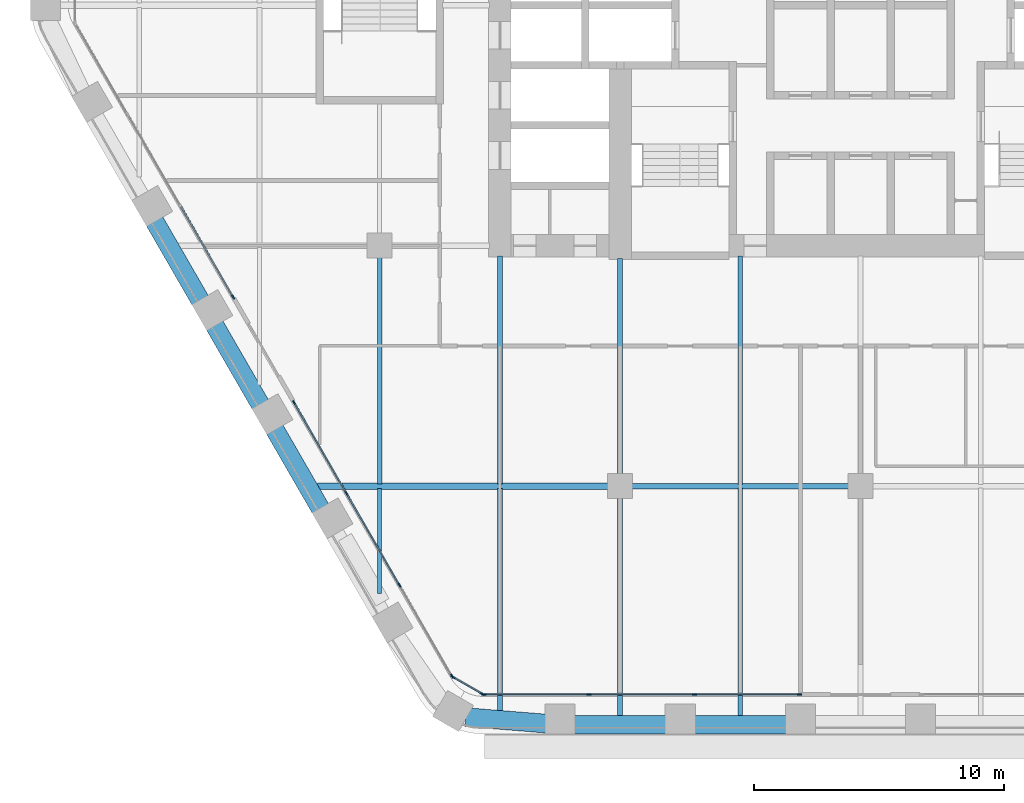
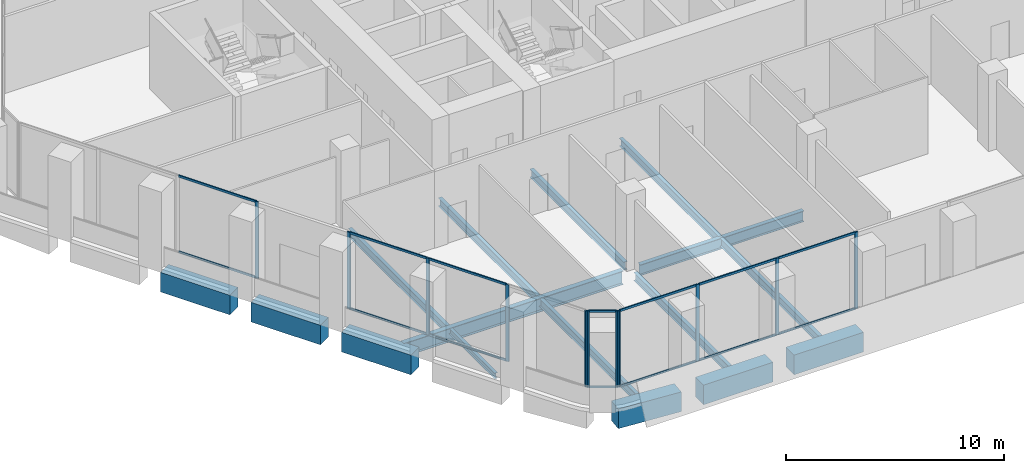
# One storey, part 2 of 23: 25 members, 16 beams, 4 elements without a shape of their own.
"""IFC4 building model written with IfcOpenShell, lengths in metres."""

from ifc_helpers import new_model, si_unit, direction, frame, origin, origin_2d, place, context, subcontext, project, spatial, rectangle, i_section, extrude, material, material_profile, profile_set, type_object, element, aggregate, save


model = new_model("IFC4")

# Units and contexts
model_context = context("Model", 3, precision=1e-05, world=origin(), true_north=direction((0.0, 1.0)))
body_context = subcontext(model_context, "Body", "Model", "MODEL_VIEW")
ifc_project = project(units=[si_unit("LENGTHUNIT", "METRE"), si_unit("AREAUNIT", "SQUARE_METRE"), si_unit("VOLUMEUNIT", "CUBIC_METRE"), si_unit("PLANEANGLEUNIT", "RADIAN"), si_unit("MASSUNIT", "GRAM", prefix="KILO")], contexts=[model_context])

# Site, building, storey
site_placement = place(None, origin())
site = spatial("IfcSite", under=ifc_project, at=site_placement, CompositionType="ELEMENT")
building_placement = place(site_placement, origin())
building = spatial("IfcBuilding", under=site, at=building_placement, Name="Kolab Exchange Tower", CompositionType="ELEMENT")
storey_placement = place(building_placement, frame((0.0, 0.0, 100.39990234375)))
storey = spatial("IfcBuildingStorey", under=building, at=storey_placement, Name="L19", CompositionType="ELEMENT", Elevation=100.39990234375)

# Beams
ifc_material_1 = material(Name="Steel S355", Category="steel")
ifc_material_profile_1 = material_profile(ifc_material_1, i_section(OverallWidth=0.1650390625, OverallDepth=0.31005859375, WebThickness=0.005859375, FlangeThickness=0.009765625, at=origin_2d()), Name="W310X39")
ifc_profile_set_1 = profile_set([ifc_material_profile_1], Name="Steel S355")
beam_type_1 = type_object("IfcBeamType", Name="FLOOR BEAM W310X39", PredefinedType="BEAM", material=ifc_profile_set_1)
beam_1_placement = place(storey_placement, frame((-19.199951171875, -23.4814453125, -0.35498046875), z_axis=(0.0, 1.0, 0.0), x_axis=(-1.0, 0.0, 0.0)))
element("IfcBeam", 1, at=beam_1_placement, inside=storey, type_object=beam_type_1, Name="beam/L19/fr/006", PredefinedType="BEAM", context=body_context, shape_type="SweptSolid", body=[
    extrude(i_section(OverallWidth=0.1650390625, OverallDepth=0.31005859375, WebThickness=0.005859375, FlangeThickness=0.009765625, at=origin_2d()), origin(), (0.0, 0.0, 1.0), 4.18798828125),
])
ifc_material_profile_2 = material_profile(ifc_material_1, i_section(OverallWidth=0.18994140625, OverallDepth=0.45703125, WebThickness=0.009033203125, FlangeThickness=0.014404296875, at=origin_2d()), Name="W460X74")
ifc_profile_set_2 = profile_set([ifc_material_profile_2], Name="Steel S355")
beam_type_2 = type_object("IfcBeamType", Name="FLOOR BEAM W460X74", PredefinedType="BEAM", material=ifc_profile_set_2)
beam_2_placement = place(storey_placement, frame((-19.199951171875, -19.1064453125, -0.428466796875), z_axis=(0.0, 1.0, 0.0), x_axis=(-1.0, 0.0, 0.0)))
element("IfcBeam", 2, at=beam_2_placement, inside=storey, type_object=beam_type_2, Name="beam/L19/fr/007", PredefinedType="BEAM", context=body_context, shape_type="SweptSolid", body=[
    extrude(i_section(OverallWidth=0.18994140625, OverallDepth=0.45703125, WebThickness=0.009033203125, FlangeThickness=0.014404296875, at=origin_2d()), origin(), (0.0, 0.0, 1.0), 9.04638671875),
])
beam_3_placement = place(storey_placement, frame((-14.39990234375, -28.194580078125, -0.428466796875), z_axis=(0.0, 1.0, 0.0), x_axis=(-1.0, 0.0, 0.0)))
element("IfcBeam", 3, at=beam_3_placement, inside=storey, type_object=beam_type_2, Name="beam/L19/fr/012", PredefinedType="BEAM", context=body_context, shape_type="SweptSolid", body=[
    extrude(i_section(OverallWidth=0.18994140625, OverallDepth=0.45703125, WebThickness=0.009033203125, FlangeThickness=0.014404296875, at=origin_2d()), origin(), (0.0, 0.0, 1.0), 8.901123046875),
])
beam_4_placement = place(storey_placement, frame((-14.39990234375, -19.1064453125, -0.428466796875), z_axis=(0.0, 1.0, 0.0), x_axis=(-1.0, 0.0, 0.0)))
element("IfcBeam", 4, at=beam_4_placement, inside=storey, type_object=beam_type_2, Name="beam/L19/fr/013", PredefinedType="BEAM", context=body_context, shape_type="SweptSolid", body=[
    extrude(i_section(OverallWidth=0.18994140625, OverallDepth=0.45703125, WebThickness=0.009033203125, FlangeThickness=0.014404296875, at=origin_2d()), origin(), (0.0, 0.0, 1.0), 9.096435546875),
])
beam_5_placement = place(storey_placement, frame((-9.60009765625, -28.388427734375, -0.428466796875), z_axis=(0.0, 1.0, 0.0), x_axis=(-1.0, 0.0, 0.0)))
element("IfcBeam", 5, at=beam_5_placement, inside=storey, type_object=beam_type_2, Name="beam/L19/fr/016", PredefinedType="BEAM", context=body_context, shape_type="SweptSolid", body=[
    extrude(i_section(OverallWidth=0.18994140625, OverallDepth=0.45703125, WebThickness=0.009033203125, FlangeThickness=0.014404296875, at=origin_2d()), origin(), (0.0, 0.0, 1.0), 8.728515625),
])
beam_6_placement = place(storey_placement, frame((-9.60009765625, -18.739990234375, -0.428466796875), z_axis=(0.0, 1.0, 0.0), x_axis=(-1.0, 0.0, 0.0)))
element("IfcBeam", 6, at=beam_6_placement, inside=storey, type_object=beam_type_2, Name="beam/L19/fr/017", PredefinedType="BEAM", context=body_context, shape_type="SweptSolid", body=[
    extrude(i_section(OverallWidth=0.18994140625, OverallDepth=0.45703125, WebThickness=0.009033203125, FlangeThickness=0.014404296875, at=origin_2d()), origin(), (0.0, 0.0, 1.0), 8.6298828125),
])
beam_7_placement = place(storey_placement, frame((-4.800048828125, -28.388427734375, -0.428466796875), z_axis=(0.0, 1.0, 0.0), x_axis=(-1.0, 0.0, 0.0)))
element("IfcBeam", 7, at=beam_7_placement, inside=storey, type_object=beam_type_2, Name="beam/L19/fr/020", PredefinedType="BEAM", context=body_context, shape_type="SweptSolid", body=[
    extrude(i_section(OverallWidth=0.18994140625, OverallDepth=0.45703125, WebThickness=0.009033203125, FlangeThickness=0.014404296875, at=origin_2d()), origin(), (0.0, 0.0, 1.0), 9.114501953125),
])
beam_8_placement = place(storey_placement, frame((-4.800048828125, -19.1259765625, -0.428466796875), z_axis=(0.0, 1.0, 0.0), x_axis=(-1.0, 0.0, 0.0)))
element("IfcBeam", 8, at=beam_8_placement, inside=storey, type_object=beam_type_2, Name="beam/L19/fr/021", PredefinedType="BEAM", context=body_context, shape_type="SweptSolid", body=[
    extrude(i_section(OverallWidth=0.18994140625, OverallDepth=0.45703125, WebThickness=0.009033203125, FlangeThickness=0.014404296875, at=origin_2d()), origin(), (0.0, 0.0, 1.0), 9.115966796875),
])
ifc_material_profile_3 = material_profile(ifc_material_1, i_section(OverallWidth=0.22802734375, OverallDepth=0.60791015625, WebThickness=0.01123046875, FlangeThickness=0.017333984375, at=origin_2d()), Name="W610X113")
ifc_profile_set_3 = profile_set([ifc_material_profile_3], Name="Steel S355")
beam_type_3 = type_object("IfcBeamType", Name="FLOOR GIRDER W610X113", PredefinedType="BEAM", material=ifc_profile_set_3)
beam_9_placement = place(storey_placement, frame((-9.139892578125, -19.199951171875, -0.50390625), z_axis=(1.0, 0.0, 0.0), x_axis=(0.0, 1.0, 0.0)))
element("IfcBeam", 9, at=beam_9_placement, inside=storey, type_object=beam_type_3, Name="beam/L19/gd/008", PredefinedType="BEAM", context=body_context, shape_type="SweptSolid", body=[
    extrude(i_section(OverallWidth=0.22802734375, OverallDepth=0.60791015625, WebThickness=0.01123046875, FlangeThickness=0.017333984375, at=origin_2d()), origin(), (0.0, 0.0, 1.0), 8.679931640625),
])
ifc_material_profile_4 = material_profile(ifc_material_1, i_section(OverallWidth=0.26708984375, OverallDepth=0.761962890625, WebThickness=0.014404296875, FlangeThickness=0.021484375, at=origin_2d()), Name="W760X173")
ifc_profile_set_4 = profile_set([ifc_material_profile_4], Name="Steel S355")
beam_type_4 = type_object("IfcBeamType", Name="FLOOR GIRDER W760X173", PredefinedType="BEAM", material=ifc_profile_set_4)
beam_10_placement = place(storey_placement, frame((-21.688720703125, -19.199951171875, -0.580810546875), z_axis=(1.0, 0.0, 0.0), x_axis=(0.0, 1.0, 0.0)))
element("IfcBeam", 10, at=beam_10_placement, inside=storey, type_object=beam_type_4, Name="beam/L19/gd/003", PredefinedType="BEAM", context=body_context, shape_type="SweptSolid", body=[
    extrude(i_section(OverallWidth=0.26708984375, OverallDepth=0.761962890625, WebThickness=0.014404296875, FlangeThickness=0.021484375, at=origin_2d()), origin(), (0.0, 0.0, 1.0), 11.628662109375),
])
ifc_material_2 = material(Name="Concrete C70/85", Category="concrete")
ifc_material_profile_5 = material_profile(ifc_material_2, rectangle(XDim=0.75, YDim=1.10009765625, at=origin_2d()), Name="RC750X1100")
ifc_profile_set_5 = profile_set([ifc_material_profile_5], Name="Concrete C70/85")
beam_type_5 = type_object("IfcBeamType", Name="SPANDREL BEAM 750X1100 C70/85", PredefinedType="BEAM", material=ifc_profile_set_5)
for number, where, z_axis, x_axis, name in (
    (11, (-2.9599609375, -28.723388671875, -0.75), (-1.0, 0.0, 0.0), (0.0, -1.0, 0.0), "beam/L19/sp/F4-05"),
    (12, (-7.760009765625, -28.723388671875, -0.75), (-1.0, 0.0, 0.0), (0.0, -1.0, 0.0), "beam/L19/sp/F4-06"),
):
    element("IfcBeam", number, at=place(storey_placement, frame(where, z_axis=z_axis, x_axis=x_axis)), inside=storey, type_object=beam_type_5, Name=name, PredefinedType="BEAM", context=body_context, shape_type="SweptSolid", body=[
        extrude(rectangle(XDim=0.75, YDim=1.10009765625, at=origin_2d()), origin(), (0.0, 0.0, 1.0), 3.679931640625),
    ])
beam_11_placement = place(storey_placement, frame((-12.56005859375, -28.678466796875, -0.75), z_axis=(-0.996791038408, 0.080047646748, 0.0), x_axis=(-0.080047646748, -0.996791038408, 0.0)))
element("IfcBeam", 13, at=beam_11_placement, inside=storey, type_object=beam_type_5, Name="beam/L19/sp/F4-07", PredefinedType="BEAM", context=body_context, shape_type="SweptSolid", body=[
    extrude(rectangle(XDim=0.75, YDim=1.10009765625, at=origin_2d()), origin(), (0.0, 0.0, 1.0), 3.20849609375),
])
beam_12_placement = place(storey_placement, frame((-21.55517578125, -20.112060546875, -0.75), z_axis=(-0.500013413428, 0.866017659399, 0.0), x_axis=(-0.866017659399, -0.500013413428, 0.0)))
element("IfcBeam", 14, at=beam_12_placement, inside=storey, type_object=beam_type_5, Name="beam/L19/sp/F5-03", PredefinedType="BEAM", context=body_context, shape_type="SweptSolid", body=[
    extrude(rectangle(XDim=0.75, YDim=1.10009765625, at=origin_2d()), origin(), (0.0, 0.0, 1.0), 3.68017578125),
])
beam_13_placement = place(storey_placement, frame((-23.955322265625, -15.955322265625, -0.75), z_axis=(-0.499963655964, 0.866046386007, 0.0), x_axis=(-0.866046386007, -0.499963655964, 0.0)))
element("IfcBeam", 15, at=beam_13_placement, inside=storey, type_object=beam_type_5, Name="beam/L19/sp/F5-04", PredefinedType="BEAM", context=body_context, shape_type="SweptSolid", body=[
    extrude(rectangle(XDim=0.75, YDim=1.10009765625, at=origin_2d()), origin(), (0.0, 0.0, 1.0), 3.679931640625),
])
beam_14_placement = place(storey_placement, frame((-26.355224609375, -11.79833984375, -0.75), z_axis=(-0.500013413428, 0.866017659399, 0.0), x_axis=(-0.866017659399, -0.500013413428, 0.0)))
element("IfcBeam", 16, at=beam_14_placement, inside=storey, type_object=beam_type_5, Name="beam/L19/sp/F5-05", PredefinedType="BEAM", context=body_context, shape_type="SweptSolid", body=[
    extrude(rectangle(XDim=0.75, YDim=1.10009765625, at=origin_2d()), origin(), (0.0, 0.0, 1.0), 3.68017578125),
])

# Curtain wall, members
ifc_material_3 = material(Name="Aluminium EN AW-6063 T6", Category="aluminium")
curtain_wall_type = type_object("IfcCurtainWallType", Name="UNITISED LOWER MID ZONE CURTAIN WALL", PredefinedType="NOTDEFINED", material=ifc_material_3)
curtain_wall_1_placement = place(storey_placement, origin())
curtain_wall_1 = element("IfcCurtainWall", 17, at=curtain_wall_1_placement, inside=storey, type_object=curtain_wall_type, Name="cw/L19/F4-2", PredefinedType="NOTDEFINED")
ifc_material_profile_6 = material_profile(ifc_material_3, rectangle(XDim=0.06005859375, YDim=0.179931640625, at=origin_2d()), Name="RECT 60X180")
ifc_profile_set_6 = profile_set([ifc_material_profile_6], Name="Aluminium EN AW-6063 T6")
member_type_1 = type_object("IfcMemberType", Name="UNITISED LOWER MID ZONE MULLION 60 X 180", PredefinedType="MULLION", material=ifc_profile_set_6)
member_1_placement = place(storey_placement, frame((-2.429931640625, -27.5185546875, 0.0), z_axis=(0.0, 0.0, 1.0), x_axis=(0.0, -1.0, 0.0)))
member_1 = element("IfcMember", 18, at=member_1_placement, type_object=member_type_1, Name="CW2 mullion 1", PredefinedType="MULLION", context=body_context, shape_type="SweptSolid", body=[
    extrude(rectangle(XDim=0.06005859375, YDim=0.179931640625, at=origin_2d()), origin(), (0.0, 0.0, 1.0), 4.300048828125),
])
member_2_placement = place(storey_placement, frame((-6.62255859375, -27.5185546875, 0.0), z_axis=(0.0, 0.0, 1.0), x_axis=(0.0, -1.0, 0.0)))
member_2 = element("IfcMember", 19, at=member_2_placement, type_object=member_type_1, Name="CW2 mullion 2", PredefinedType="MULLION", context=body_context, shape_type="SweptSolid", body=[
    extrude(rectangle(XDim=0.06005859375, YDim=0.179931640625, at=origin_2d()), origin(), (0.0, 0.0, 1.0), 4.300048828125),
])
member_3_placement = place(storey_placement, frame((-10.84521484375, -27.5185546875, 0.0), z_axis=(0.0, 0.0, 1.0), x_axis=(0.0, -1.0, 0.0)))
member_3 = element("IfcMember", 20, at=member_3_placement, type_object=member_type_1, Name="CW2 mullion 3", PredefinedType="MULLION", context=body_context, shape_type="SweptSolid", body=[
    extrude(rectangle(XDim=0.06005859375, YDim=0.179931640625, at=origin_2d()), origin(), (0.0, 0.0, 1.0), 4.300048828125),
])
member_4_placement = place(storey_placement, frame((-15.037841796875, -27.5185546875, 0.0), z_axis=(0.0, 0.0, 1.0), x_axis=(0.0, -1.0, 0.0)))
member_4 = element("IfcMember", 21, at=member_4_placement, type_object=member_type_1, Name="CW2 mullion 4", PredefinedType="MULLION", context=body_context, shape_type="SweptSolid", body=[
    extrude(rectangle(XDim=0.06005859375, YDim=0.179931640625, at=origin_2d()), origin(), (0.0, 0.0, 1.0), 4.300048828125),
])

curtain_wall_2_placement = place(storey_placement, origin())
curtain_wall_2 = element("IfcCurtainWall", 22, at=curtain_wall_2_placement, inside=storey, type_object=curtain_wall_type, Name="cw/L19/F5-1", PredefinedType="NOTDEFINED")
member_5_placement = place(storey_placement, frame((-16.312744140625, -26.782470703125, 0.0), z_axis=(0.0, 0.0, 1.0), x_axis=(-0.866025393644, -0.500000017564, 0.0)))
member_5 = element("IfcMember", 23, at=member_5_placement, type_object=member_type_1, Name="CW2 mullion 1", PredefinedType="MULLION", context=body_context, shape_type="SweptSolid", body=[
    extrude(rectangle(XDim=0.06005859375, YDim=0.179931640625, at=origin_2d()), origin(), (0.0, 0.0, 1.0), 4.300048828125),
])
member_6_placement = place(storey_placement, frame((-18.408935546875, -23.151611328125, 0.0), z_axis=(0.0, 0.0, 1.0), x_axis=(-0.866025393644, -0.500000017564, 0.0)))
member_6 = element("IfcMember", 24, at=member_6_placement, type_object=member_type_1, Name="CW2 mullion 2", PredefinedType="MULLION", context=body_context, shape_type="SweptSolid", body=[
    extrude(rectangle(XDim=0.06005859375, YDim=0.179931640625, at=origin_2d()), origin(), (0.0, 0.0, 1.0), 4.300048828125),
])
member_7_placement = place(storey_placement, frame((-20.520263671875, -19.49462890625, 0.0), z_axis=(0.0, 0.0, 1.0), x_axis=(-0.866025393644, -0.500000017564, 0.0)))
member_7 = element("IfcMember", 25, at=member_7_placement, type_object=member_type_1, Name="CW2 mullion 3", PredefinedType="MULLION", context=body_context, shape_type="SweptSolid", body=[
    extrude(rectangle(XDim=0.06005859375, YDim=0.179931640625, at=origin_2d()), origin(), (0.0, 0.0, 1.0), 4.300048828125),
])
member_8_placement = place(storey_placement, frame((-22.61669921875, -15.86376953125, 0.0), z_axis=(0.0, 0.0, 1.0), x_axis=(-0.866025393644, -0.500000017564, 0.0)))
member_8 = element("IfcMember", 26, at=member_8_placement, type_object=member_type_1, Name="CW2 mullion 4", PredefinedType="MULLION", context=body_context, shape_type="SweptSolid", body=[
    extrude(rectangle(XDim=0.06005859375, YDim=0.179931640625, at=origin_2d()), origin(), (0.0, 0.0, 1.0), 4.300048828125),
])

# Curtain wall, member
curtain_wall_3_placement = place(storey_placement, origin())
curtain_wall_3 = element("IfcCurtainWall", 27, at=curtain_wall_3_placement, inside=storey, type_object=curtain_wall_type, Name="cw/L19/F5-2", PredefinedType="NOTDEFINED")
member_9_placement = place(storey_placement, frame((-25.046630859375, -11.65478515625, 0.0), z_axis=(0.0, 0.0, 1.0), x_axis=(-0.866025427826, -0.499999958358, 0.0)))
member_9 = element("IfcMember", 28, at=member_9_placement, type_object=member_type_1, Name="CW2 mullion 1", PredefinedType="MULLION", context=body_context, shape_type="SweptSolid", body=[
    extrude(rectangle(XDim=0.06005859375, YDim=0.179931640625, at=origin_2d()), origin(), (0.0, 0.0, 1.0), 4.300048828125),
])

# Curtain wall, members
curtain_wall_4_placement = place(storey_placement, origin())
curtain_wall_4 = element("IfcCurtainWall", 29, at=curtain_wall_4_placement, inside=storey, type_object=curtain_wall_type, Name="cw/L19/F4F5-corner", PredefinedType="NOTDEFINED")
member_10_placement = place(storey_placement, frame((-15.093994140625, -27.50341796875, 0.0), z_axis=(0.0, 0.0, 1.0), x_axis=(-0.50000002237, -0.866025390869, 0.0)))
member_10 = element("IfcMember", 30, at=member_10_placement, type_object=member_type_1, Name="CW2 mullion 1", PredefinedType="MULLION", context=body_context, shape_type="SweptSolid", body=[
    extrude(rectangle(XDim=0.06005859375, YDim=0.179931640625, at=origin_2d()), origin(), (0.0, 0.0, 1.0), 4.300048828125),
])
member_11_placement = place(storey_placement, frame((-16.271728515625, -26.823486328125, 0.0), z_axis=(0.0, 0.0, 1.0), x_axis=(-0.50000002237, -0.866025390869, 0.0)))
member_11 = element("IfcMember", 31, at=member_11_placement, type_object=member_type_1, Name="CW2 mullion 2", PredefinedType="MULLION", context=body_context, shape_type="SweptSolid", body=[
    extrude(rectangle(XDim=0.06005859375, YDim=0.179931640625, at=origin_2d()), origin(), (0.0, 0.0, 1.0), 4.300048828125),
])

# Member
ifc_material_profile_7 = material_profile(ifc_material_3, rectangle(XDim=0.06005859375, YDim=0.1201171875, at=origin_2d()), Name="RECT 60X120")
ifc_profile_set_7 = profile_set([ifc_material_profile_7], Name="Aluminium EN AW-6063 T6")
member_type_2 = type_object("IfcMemberType", Name="UNITISED LOWER MID ZONE TRANSOM 60 X 120", PredefinedType="USERDEFINED", material=ifc_profile_set_7)
member_12_placement = place(storey_placement, frame((-2.4599609375, -27.5185546875, 0.030029296875), z_axis=(-1.0, 0.0, 0.0), x_axis=(0.0, -1.0, 0.0)))
member_12 = element("IfcMember", 32, at=member_12_placement, type_object=member_type_2, Name="CW2 transom 1.1", ObjectType="TRANSOM", PredefinedType="USERDEFINED", context=body_context, shape_type="SweptSolid", body=[
    extrude(rectangle(XDim=0.06005859375, YDim=0.1201171875, at=origin_2d()), origin(), (0.0, 0.0, 1.0), 4.132568359375),
])

member_13_placement = place(storey_placement, frame((-2.4599609375, -27.5185546875, 4.27001953125), z_axis=(-1.0, 0.0, 0.0), x_axis=(0.0, -1.0, 0.0)))
member_13 = element("IfcMember", 33, at=member_13_placement, type_object=member_type_2, Name="CW2 transom 1.2", ObjectType="TRANSOM", PredefinedType="USERDEFINED", context=body_context, shape_type="SweptSolid", body=[
    extrude(rectangle(XDim=0.06005859375, YDim=0.1201171875, at=origin_2d()), origin(), (0.0, 0.0, 1.0), 4.132568359375),
])

member_14_placement = place(storey_placement, frame((-6.652587890625, -27.5185546875, 0.030029296875), z_axis=(-1.0, 0.0, 0.0), x_axis=(0.0, -1.0, 0.0)))
member_14 = element("IfcMember", 34, at=member_14_placement, type_object=member_type_2, Name="CW2 transom 2.1", ObjectType="TRANSOM", PredefinedType="USERDEFINED", context=body_context, shape_type="SweptSolid", body=[
    extrude(rectangle(XDim=0.06005859375, YDim=0.1201171875, at=origin_2d()), origin(), (0.0, 0.0, 1.0), 4.16259765625),
])

member_15_placement = place(storey_placement, frame((-6.652587890625, -27.5185546875, 4.27001953125), z_axis=(-1.0, 0.0, 0.0), x_axis=(0.0, -1.0, 0.0)))
member_15 = element("IfcMember", 35, at=member_15_placement, type_object=member_type_2, Name="CW2 transom 2.2", ObjectType="TRANSOM", PredefinedType="USERDEFINED", context=body_context, shape_type="SweptSolid", body=[
    extrude(rectangle(XDim=0.06005859375, YDim=0.1201171875, at=origin_2d()), origin(), (0.0, 0.0, 1.0), 4.16259765625),
])

member_16_placement = place(storey_placement, frame((-10.875244140625, -27.5185546875, 0.030029296875), z_axis=(-1.0, 0.0, 0.0), x_axis=(0.0, -1.0, 0.0)))
member_16 = element("IfcMember", 36, at=member_16_placement, type_object=member_type_2, Name="CW2 transom 3.1", ObjectType="TRANSOM", PredefinedType="USERDEFINED", context=body_context, shape_type="SweptSolid", body=[
    extrude(rectangle(XDim=0.06005859375, YDim=0.1201171875, at=origin_2d()), origin(), (0.0, 0.0, 1.0), 4.1328125),
])

member_17_placement = place(storey_placement, frame((-10.875244140625, -27.5185546875, 4.27001953125), z_axis=(-1.0, 0.0, 0.0), x_axis=(0.0, -1.0, 0.0)))
member_17 = element("IfcMember", 37, at=member_17_placement, type_object=member_type_2, Name="CW2 transom 3.2", ObjectType="TRANSOM", PredefinedType="USERDEFINED", context=body_context, shape_type="SweptSolid", body=[
    extrude(rectangle(XDim=0.06005859375, YDim=0.1201171875, at=origin_2d()), origin(), (0.0, 0.0, 1.0), 4.1328125),
])

aggregate(curtain_wall_1, [member_1, member_2, member_3, member_4, member_12, member_13, member_14, member_15, member_16, member_17])

member_18_placement = place(storey_placement, frame((-18.424072265625, -23.12548828125, 0.030029296875), z_axis=(-0.49999322259, 0.866029316688, 0.0), x_axis=(-0.866029316688, -0.49999322259, 0.0)))
member_18 = element("IfcMember", 38, at=member_18_placement, type_object=member_type_2, Name="CW2 transom 2.1", ObjectType="TRANSOM", PredefinedType="USERDEFINED", context=body_context, shape_type="SweptSolid", body=[
    extrude(rectangle(XDim=0.06005859375, YDim=0.1201171875, at=origin_2d()), origin(), (0.0, 0.0, 1.0), 4.16259765625),
])

member_19_placement = place(storey_placement, frame((-18.424072265625, -23.12548828125, 4.27001953125), z_axis=(-0.49999322259, 0.866029316688, 0.0), x_axis=(-0.866029316688, -0.49999322259, 0.0)))
member_19 = element("IfcMember", 39, at=member_19_placement, type_object=member_type_2, Name="CW2 transom 2.2", ObjectType="TRANSOM", PredefinedType="USERDEFINED", context=body_context, shape_type="SweptSolid", body=[
    extrude(rectangle(XDim=0.06005859375, YDim=0.1201171875, at=origin_2d()), origin(), (0.0, 0.0, 1.0), 4.16259765625),
])

member_20_placement = place(storey_placement, frame((-20.535400390625, -19.46875, 0.030029296875), z_axis=(-0.499957688808, 0.866049830784, 0.0), x_axis=(-0.866049830784, -0.499957688808, 0.0)))
member_20 = element("IfcMember", 40, at=member_20_placement, type_object=member_type_2, Name="CW2 transom 3.1", ObjectType="TRANSOM", PredefinedType="USERDEFINED", context=body_context, shape_type="SweptSolid", body=[
    extrude(rectangle(XDim=0.06005859375, YDim=0.1201171875, at=origin_2d()), origin(), (0.0, 0.0, 1.0), 4.132568359375),
])

member_21_placement = place(storey_placement, frame((-20.535400390625, -19.46875, 4.27001953125), z_axis=(-0.499957688808, 0.866049830784, 0.0), x_axis=(-0.866049830784, -0.499957688808, 0.0)))
member_21 = element("IfcMember", 41, at=member_21_placement, type_object=member_type_2, Name="CW2 transom 3.2", ObjectType="TRANSOM", PredefinedType="USERDEFINED", context=body_context, shape_type="SweptSolid", body=[
    extrude(rectangle(XDim=0.06005859375, YDim=0.1201171875, at=origin_2d()), origin(), (0.0, 0.0, 1.0), 4.132568359375),
])

aggregate(curtain_wall_2, [member_5, member_6, member_7, member_8, member_18, member_19, member_20, member_21])

member_22_placement = place(storey_placement, frame((-25.061767578125, -11.62890625, 0.030029296875), z_axis=(-0.499957688808, 0.866049830784, 0.0), x_axis=(-0.866049830784, -0.499957688808, 0.0)))
member_22 = element("IfcMember", 42, at=member_22_placement, type_object=member_type_2, Name="CW2 transom 1.1", ObjectType="TRANSOM", PredefinedType="USERDEFINED", context=body_context, shape_type="SweptSolid", body=[
    extrude(rectangle(XDim=0.06005859375, YDim=0.1201171875, at=origin_2d()), origin(), (0.0, 0.0, 1.0), 4.132568359375),
])

member_23_placement = place(storey_placement, frame((-25.061767578125, -11.62890625, 4.27001953125), z_axis=(-0.499957688808, 0.866049830784, 0.0), x_axis=(-0.866049830784, -0.499957688808, 0.0)))
member_23 = element("IfcMember", 43, at=member_23_placement, type_object=member_type_2, Name="CW2 transom 1.2", ObjectType="TRANSOM", PredefinedType="USERDEFINED", context=body_context, shape_type="SweptSolid", body=[
    extrude(rectangle(XDim=0.06005859375, YDim=0.1201171875, at=origin_2d()), origin(), (0.0, 0.0, 1.0), 4.132568359375),
])

aggregate(curtain_wall_3, [member_9, member_22, member_23])

member_24_placement = place(storey_placement, frame((-15.119873046875, -27.488525390625, 0.030029296875), z_axis=(-0.866004217611, 0.500036693733, 0.0), x_axis=(-0.500036693733, -0.866004217611, 0.0)))
member_24 = element("IfcMember", 44, at=member_24_placement, type_object=member_type_2, Name="CW2 transom 1.1", ObjectType="TRANSOM", PredefinedType="USERDEFINED", context=body_context, shape_type="SweptSolid", body=[
    extrude(rectangle(XDim=0.06005859375, YDim=0.1201171875, at=origin_2d()), origin(), (0.0, 0.0, 1.0), 1.30029296875),
])

member_25_placement = place(storey_placement, frame((-15.119873046875, -27.488525390625, 4.27001953125), z_axis=(-0.866004217611, 0.500036693733, 0.0), x_axis=(-0.500036693733, -0.866004217611, 0.0)))
member_25 = element("IfcMember", 45, at=member_25_placement, type_object=member_type_2, Name="CW2 transom 1.2", ObjectType="TRANSOM", PredefinedType="USERDEFINED", context=body_context, shape_type="SweptSolid", body=[
    extrude(rectangle(XDim=0.06005859375, YDim=0.1201171875, at=origin_2d()), origin(), (0.0, 0.0, 1.0), 1.30029296875),
])

aggregate(curtain_wall_4, [member_10, member_11, member_24, member_25])

save(model, "model.ifc")
